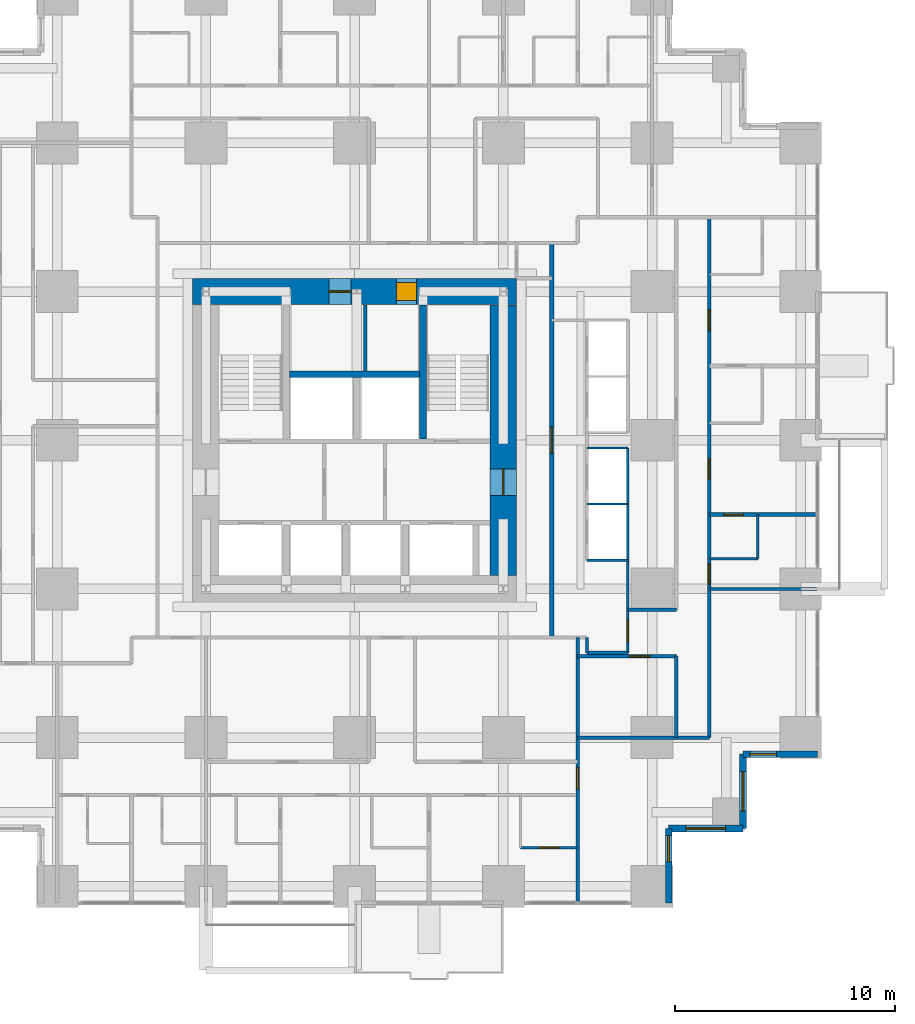
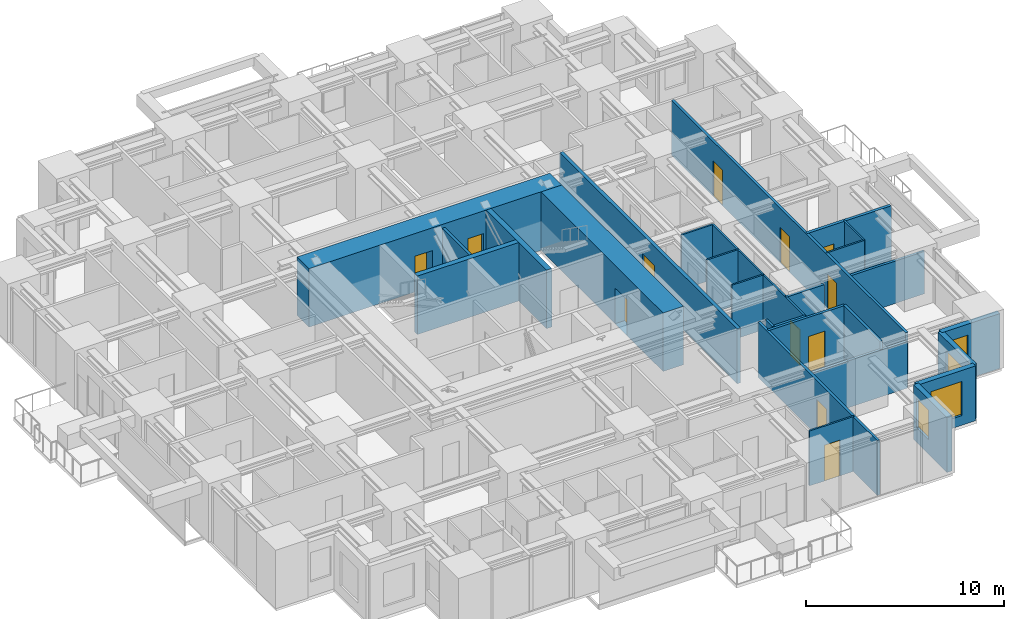
# One storey, part 10 of 14: 27 walls, 12 doors, 4 windows, 16 openings.
"""IFC4 building model written with IfcOpenShell, lengths in metres."""

from ifc_helpers import new_model, si_unit, direction, frame, frame_2d, origin, place, context, subcontext, project, spatial, rectangle, extrude, material, layer, layer_set, type_object, element, fill, save


model = new_model("IFC4")

# Units and contexts
model_context = context("Model", 3, precision=1e-05, world=origin(), true_north=direction((0.0, 1.0)))
body_context = subcontext(model_context, "Body", "Model", "MODEL_VIEW")
ifc_project = project(units=[si_unit("LENGTHUNIT", "METRE"), si_unit("AREAUNIT", "SQUARE_METRE"), si_unit("VOLUMEUNIT", "CUBIC_METRE"), si_unit("PLANEANGLEUNIT", "RADIAN"), si_unit("MASSUNIT", "GRAM", prefix="KILO")], contexts=[model_context])

# Site, building, storey
site_placement = place(None, origin())
site = spatial("IfcSite", under=ifc_project, at=site_placement, CompositionType="ELEMENT")
building_placement = place(site_placement, origin())
building = spatial("IfcBuilding", under=site, at=building_placement, Name="Nyansa Garden Tower", CompositionType="ELEMENT")
storey_placement = place(building_placement, frame((0.0, 0.0, 28.800048828125)))
storey = spatial("IfcBuildingStorey", under=building, at=storey_placement, Name="L07", CompositionType="ELEMENT", Elevation=28.800048828125)

# Wall, opening, door
ifc_material_1 = material(Name="Dense blockwork, plastered both sides, 55 dB", Category="masonry")
ifc_layer_1 = layer(ifc_material_1, 0.175048828125)
ifc_layer_set_1 = layer_set([ifc_layer_1], Name="Acoustic party wall PW175")
wall_type_1 = type_object("IfcWallType", Name="Acoustic party wall PW175", PredefinedType="PARTITIONING", material=ifc_layer_set_1)
wall_1_placement = place(storey_placement, frame((36.35009765625, 16.875, 0.0), z_axis=(0.0, 0.0, 1.0), x_axis=(1.0, 0.0, 0.0)))
wall_1 = element("IfcWall", 1, at=wall_1_placement, inside=storey, type_object=wall_type_1, Name="Party wall", PredefinedType="PARTITIONING", context=body_context, shape_type="SweptSolid", body=[
    extrude(rectangle(XDim=4.8837890625, YDim=0.175048828125, at=frame_2d((2.44189453125, 0.0))), origin(), (0.0, 0.0, 1.0), 3.375),
])
opening_1_placement = place(wall_1_placement, frame((0.64990234375, 0.0, 0.0)))
opening_1 = element("IfcOpeningElement", 2, at=opening_1_placement, cuts=wall_1, Name="Opening D02", PredefinedType="OPENING", context=body_context, shape_type="SweptSolid", body=[
    extrude(rectangle(XDim=0.89990234375, YDim=2.199951171875, at=frame_2d((0.449951171875, 1.10009765625))), frame((0.0, 0.097412109375, 0.0), z_axis=(0.0, -1.0, 0.0), x_axis=(1.0, 0.0, 0.0)), (0.0, 0.0, 1.0), 0.195068359375),
])
ifc_material_2 = material(Name="Timber flush door", Category="wood")
door_type_1 = type_object("IfcDoorType", Name="En-suite door D02 900x2200", OperationType="SINGLE_SWING_RIGHT", PredefinedType="DOOR", material=ifc_material_2)
door_1_placement = place(opening_1_placement, origin())
door_1 = element("IfcDoor", 3, at=door_1_placement, inside=storey, type_object=door_type_1, Name="Door L07-038", OperationType="SINGLE_SWING_RIGHT", OverallHeight=2.199951171875, OverallWidth=0.89990234375, PredefinedType="DOOR", context=body_context, shape_type="SweptSolid", body=[
    extrude(rectangle(XDim=0.89990234375, YDim=2.199951171875, at=frame_2d((0.449951171875, 1.10009765625))), frame((0.0, 0.02490234375, 0.0), z_axis=(0.0, -1.0, 0.0), x_axis=(1.0, 0.0, 0.0)), (0.0, 0.0, 1.0), 0.050048828125),
])
fill(opening_1, door_1)

# Walls
ifc_material_3 = material(Name="Concrete C70/85", Category="concrete")
ifc_layer_2 = layer(ifc_material_3, 0.300048828125)
ifc_layer_set_2 = layer_set([ifc_layer_2], Name="Core inner wall CI300")
wall_type_2 = type_object("IfcWallType", Name="Core inner wall CI300", PredefinedType="SHEAR", material=ifc_layer_set_2)
wall_2_placement = place(storey_placement, frame((23.35009765625, 20.300048828125, 0.0), z_axis=(0.0, 0.0, 1.0), x_axis=(0.0, 1.0, 0.0)))
element("IfcWall", 4, at=wall_2_placement, inside=storey, type_object=wall_type_2, Name="Core inner wall L07", PredefinedType="SHEAR", context=body_context, shape_type="SweptSolid", body=[
    extrude(rectangle(XDim=6.099853515625, YDim=0.300048828125, at=frame_2d((3.0498046875, 0.0))), origin(), (0.0, 0.0, 1.0), 3.599853515625),
])
wall_3_placement = place(storey_placement, frame((17.300048828125, 23.25, 0.0), z_axis=(0.0, 0.0, 1.0), x_axis=(1.0, 0.0, 0.0)))
element("IfcWall", 5, at=wall_3_placement, inside=storey, type_object=wall_type_2, Name="Core inner wall L07", PredefinedType="SHEAR", context=body_context, shape_type="SweptSolid", body=[
    extrude(rectangle(XDim=5.89990234375, YDim=0.300048828125, at=frame_2d((2.949951171875, 0.0))), origin(), (0.0, 0.0, 1.0), 3.599853515625),
])

# Wall, opening, door
ifc_material_4 = material(Name="Concrete C80/95", Category="concrete")
ifc_layer_3 = layer(ifc_material_4, 1.199951171875)
ifc_layer_set_3 = layer_set([ifc_layer_3], Name="Core wall CW1200")
wall_type_3 = type_object("IfcWallType", Name="Core wall CW1200", PredefinedType="SHEAR", material=ifc_layer_set_3)
wall_4_placement = place(storey_placement, frame((27.0, 14.10009765625, 0.0), z_axis=(0.0, 0.0, 1.0), x_axis=(0.0, 1.0, 0.0)))
wall_4 = element("IfcWall", 6, at=wall_4_placement, inside=storey, type_object=wall_type_3, Name="Core wall E L07", PredefinedType="SHEAR", context=body_context, shape_type="SweptSolid", body=[
    extrude(rectangle(XDim=12.2998046875, YDim=1.199951171875, at=frame_2d((6.14990234375, 0.0))), origin(), (0.0, 0.0, 1.0), 3.599853515625),
])
opening_2_placement = place(wall_4_placement, frame((3.64990234375, 0.0, 0.0)))
opening_2 = element("IfcOpeningElement", 7, at=opening_2_placement, cuts=wall_4, Name="Opening D06", PredefinedType="OPENING", context=body_context, shape_type="SweptSolid", body=[
    extrude(rectangle(XDim=1.199951171875, YDim=2.199951171875, at=frame_2d((0.60009765625, 1.10009765625))), frame((0.0, 0.60986328125, 0.0), z_axis=(0.0, -1.0, 0.0), x_axis=(1.0, 0.0, 0.0)), (0.0, 0.0, 1.0), 1.219970703125),
])
ifc_material_5 = material(Name="Steel door, 120 minute fire resisting", Category="steel")
door_type_2 = type_object("IfcDoorType", Name="Lobby door D06 1200x2200", OperationType="DOUBLE_DOOR_SINGLE_SWING", PredefinedType="DOOR", material=ifc_material_5)
door_2_placement = place(opening_2_placement, origin())
door_2 = element("IfcDoor", 8, at=door_2_placement, inside=storey, type_object=door_type_2, Name="Lift lobby door east", OperationType="DOUBLE_DOOR_SINGLE_SWING", OverallHeight=2.199951171875, OverallWidth=1.199951171875, PredefinedType="DOOR", context=body_context, shape_type="SweptSolid", body=[
    extrude(rectangle(XDim=1.199951171875, YDim=2.199951171875, at=frame_2d((0.60009765625, 1.10009765625))), frame((0.0, 0.02490234375, 0.0), z_axis=(0.0, -1.0, 0.0), x_axis=(1.0, 0.0, 0.0)), (0.0, 0.0, 1.0), 0.050048828125),
])
fill(opening_2, door_2)

# Wall, openings, doors
wall_5_placement = place(storey_placement, frame((27.60009765625, 27.0, 0.0), z_axis=(0.0, 0.0, 1.0), x_axis=(-1.0, 0.0, 0.0)))
wall_5 = element("IfcWall", 9, at=wall_5_placement, inside=storey, type_object=wall_type_3, Name="Core wall N L07", PredefinedType="SHEAR", context=body_context, shape_type="SweptSolid", body=[
    extrude(rectangle(XDim=14.7001953125, YDim=1.199951171875, at=frame_2d((7.35009765625, 0.0))), origin(), (0.0, 0.0, 1.0), 3.599853515625),
])
opening_3_placement = place(wall_5_placement, frame((4.550048828125, 0.0, 0.0)))
opening_3 = element("IfcOpeningElement", 10, at=opening_3_placement, cuts=wall_5, Name="Opening D15", PredefinedType="OPENING", context=body_context, shape_type="SweptSolid", body=[
    extrude(rectangle(XDim=0.89990234375, YDim=2.199951171875, at=frame_2d((0.449951171875, 1.10009765625))), frame((0.0, 0.60986328125, 0.0), z_axis=(0.0, -1.0, 0.0), x_axis=(1.0, 0.0, 0.0)), (0.0, 0.0, 1.0), 1.219970703125),
])
opening_4_placement = place(wall_5_placement, frame((7.52490234375, 0.0, 0.0)))
opening_4 = element("IfcOpeningElement", 11, at=opening_4_placement, cuts=wall_5, Name="Opening D07", PredefinedType="OPENING", context=body_context, shape_type="SweptSolid", body=[
    extrude(rectangle(XDim=1.0, YDim=2.199951171875, at=frame_2d((0.5, 1.10009765625))), frame((0.0, 0.60986328125, 0.0), z_axis=(0.0, -1.0, 0.0), x_axis=(1.0, 0.0, 0.0)), (0.0, 0.0, 1.0), 1.219970703125),
])
ifc_material_6 = material(Name="Timber flush door, 60 minute fire resisting, self-closing", Category="wood")
door_type_3 = type_object("IfcDoorType", Name="Core room door D15 900x2200", OperationType="SINGLE_SWING_LEFT", PredefinedType="DOOR", material=ifc_material_6)
door_3_placement = place(opening_3_placement, origin())
door_3 = element("IfcDoor", 12, at=door_3_placement, inside=storey, type_object=door_type_3, Name="Core room door", OperationType="SINGLE_SWING_LEFT", OverallHeight=2.199951171875, OverallWidth=0.89990234375, PredefinedType="DOOR", context=body_context, shape_type="SweptSolid", body=[
    extrude(rectangle(XDim=0.89990234375, YDim=2.199951171875, at=frame_2d((0.449951171875, 1.10009765625))), frame((0.0, 0.39990234375, 0.0), z_axis=(0.0, -1.0, 0.0), x_axis=(1.0, 0.0, 0.0)), (0.0, 0.0, 1.0), 0.800048828125),
])
fill(opening_3, door_3)
ifc_material_7 = material(Name="Steel door, 120 minute fire resisting", Category="steel")
door_type_4 = type_object("IfcDoorType", Name="Riser door D07 1000x2200", OperationType="SINGLE_SWING_LEFT", PredefinedType="DOOR", material=ifc_material_7)
door_4_placement = place(opening_4_placement, origin())
door_4 = element("IfcDoor", 13, at=door_4_placement, inside=storey, type_object=door_type_4, Name="Riser and refuse room door", OperationType="SINGLE_SWING_LEFT", OverallHeight=2.199951171875, OverallWidth=1.0, PredefinedType="DOOR", context=body_context, shape_type="SweptSolid", body=[
    extrude(rectangle(XDim=1.0, YDim=2.199951171875, at=frame_2d((0.5, 1.10009765625))), frame((0.0, 0.02490234375, 0.0), z_axis=(0.0, -1.0, 0.0), x_axis=(1.0, 0.0, 0.0)), (0.0, 0.0, 1.0), 0.050048828125),
])
fill(opening_4, door_4)

# Wall, opening, door
ifc_material_8 = material(Name="Concrete blockwork, plastered, 60 minute fire resisting", Category="masonry")
ifc_layer_4 = layer(ifc_material_8, 0.199951171875)
ifc_layer_set_4 = layer_set([ifc_layer_4], Name="Corridor wall FW200")
wall_type_4 = type_object("IfcWallType", Name="Corridor wall FW200", PredefinedType="PARTITIONING", material=ifc_layer_set_4)
wall_6_placement = place(storey_placement, frame((29.199951171875, 11.300048828125, 0.0), z_axis=(0.0, 0.0, 1.0), x_axis=(0.0, 1.0, 0.0)))
wall_6 = element("IfcWall", 14, at=wall_6_placement, inside=storey, type_object=wall_type_4, Name="Corridor wall", PredefinedType="PARTITIONING", context=body_context, shape_type="SweptSolid", body=[
    extrude(rectangle(XDim=17.89990234375, YDim=0.199951171875, at=frame_2d((8.949951171875, 0.0))), origin(), (0.0, 0.0, 1.0), 3.375),
])
opening_5_placement = place(wall_6_placement, frame((8.35009765625, 0.0, 0.0)))
opening_5 = element("IfcOpeningElement", 15, at=opening_5_placement, cuts=wall_6, Name="Opening D06", PredefinedType="OPENING", context=body_context, shape_type="SweptSolid", body=[
    extrude(rectangle(XDim=1.199951171875, YDim=2.199951171875, at=frame_2d((0.60009765625, 1.10009765625))), frame((0.0, 0.10986328125, 0.0), z_axis=(0.0, -1.0, 0.0), x_axis=(1.0, 0.0, 0.0)), (0.0, 0.0, 1.0), 0.219970703125),
])
door_5_placement = place(opening_5_placement, origin())
door_5 = element("IfcDoor", 16, at=door_5_placement, inside=storey, type_object=door_type_2, Name="Low-rise lift lobby door", OperationType="DOUBLE_DOOR_SINGLE_SWING", OverallHeight=2.199951171875, OverallWidth=1.199951171875, PredefinedType="DOOR", context=body_context, shape_type="SweptSolid", body=[
    extrude(rectangle(XDim=1.199951171875, YDim=2.199951171875, at=frame_2d((0.60009765625, 1.10009765625))), frame((0.0, 0.02490234375, 0.0), z_axis=(0.0, -1.0, 0.0), x_axis=(1.0, 0.0, 0.0)), (0.0, 0.0, 1.0), 0.050048828125),
])
fill(opening_5, door_5)

# Walls
ifc_material_9 = material(Name="Steel-stud shaft wall, two layers fire-rated board, EI 120", Category="steel")
ifc_layer_5 = layer(ifc_material_9, 0.10009765625)
ifc_layer_set_5 = layer_set([ifc_layer_5], Name="Lift shaft wall SW100")
wall_type_5 = type_object("IfcWallType", Name="Lift shaft wall SW100", PredefinedType="SHEAR", material=ifc_layer_set_5)
for number, where, z_axis, x_axis, name in (
    (17, (30.800048828125, 14.800048828125, 0.0), (0.0, 0.0, 1.0), (1.0, 0.0, 0.0), "Lift shaft wall"),
    (18, (30.800048828125, 17.35009765625, 0.0), (0.0, 0.0, 1.0), (1.0, 0.0, 0.0), "Lift shaft wall"),
    (19, (30.800048828125, 19.89990234375, 0.0), (0.0, 0.0, 1.0), (1.0, 0.0, 0.0), "Lift shaft wall"),
):
    element("IfcWall", number, at=place(storey_placement, frame(where, z_axis=z_axis, x_axis=x_axis)), inside=storey, type_object=wall_type_5, Name=name, PredefinedType="SHEAR", context=body_context, shape_type="SweptSolid", body=[
        extrude(rectangle(XDim=1.849853515625, YDim=0.10009765625, at=frame_2d((0.9248046875, 0.0))), origin(), (0.0, 0.0, 1.0), 3.375),
    ])

# Wall, opening, door
wall_7_placement = place(storey_placement, frame((32.64990234375, 10.60009765625, 0.0), z_axis=(0.0, 0.0, 1.0), x_axis=(0.0, 1.0, 0.0)))
wall_7 = element("IfcWall", 20, at=wall_7_placement, inside=storey, type_object=wall_type_5, Name="Lift shaft wall", PredefinedType="SHEAR", context=body_context, shape_type="SweptSolid", body=[
    extrude(rectangle(XDim=9.2998046875, YDim=0.10009765625, at=frame_2d((4.64990234375, 0.0))), origin(), (0.0, 0.0, 1.0), 3.375),
])
opening_6_placement = place(wall_7_placement, frame((0.5, 0.0, 0.0)))
opening_6 = element("IfcOpeningElement", 21, at=opening_6_placement, cuts=wall_7, Name="Opening D03", PredefinedType="OPENING", context=body_context, shape_type="SweptSolid", body=[
    extrude(rectangle(XDim=1.0, YDim=2.199951171875, at=frame_2d((0.5, 1.10009765625))), frame((0.0, 0.06005859375, 0.0), z_axis=(0.0, -1.0, 0.0), x_axis=(1.0, 0.0, 0.0)), (0.0, 0.0, 1.0), 0.1201171875),
])
ifc_material_10 = material(Name="Timber flush door, 60 minute fire resisting", Category="wood")
door_type_5 = type_object("IfcDoorType", Name="Cluster entrance door D03 1000x2200", OperationType="SINGLE_SWING_LEFT", PredefinedType="DOOR", material=ifc_material_10)
door_6_placement = place(opening_6_placement, origin())
door_6 = element("IfcDoor", 22, at=door_6_placement, inside=storey, type_object=door_type_5, Name="Door L07-039", OperationType="SINGLE_SWING_LEFT", OverallHeight=2.199951171875, OverallWidth=1.0, PredefinedType="DOOR", context=body_context, shape_type="SweptSolid", body=[
    extrude(rectangle(XDim=1.0, YDim=2.199951171875, at=frame_2d((0.5, 1.10009765625))), frame((0.0, 0.02490234375, 0.0), z_axis=(0.0, -1.0, 0.0), x_axis=(1.0, 0.0, 0.0)), (0.0, 0.0, 1.0), 0.050048828125),
])
fill(opening_6, door_6)

# Wall
ifc_material_11 = material(Name="Blockwork, plastered both sides", Category="masonry")
ifc_layer_6 = layer(ifc_material_11, 0.14990234375)
ifc_layer_set_6 = layer_set([ifc_layer_6], Name="Partition PW150")
wall_type_6 = type_object("IfcWallType", Name="Partition PW150", PredefinedType="PARTITIONING", material=ifc_layer_set_6)
wall_8_placement = place(storey_placement, frame((20.72509765625, 23.39990234375, 0.0), z_axis=(0.0, 0.0, 1.0), x_axis=(0.0, 1.0, 0.0)))
element("IfcWall", 23, at=wall_8_placement, inside=storey, type_object=wall_type_6, Name="Partition", PredefinedType="PARTITIONING", context=body_context, shape_type="SweptSolid", body=[
    extrude(rectangle(XDim=3.0, YDim=0.14990234375, at=frame_2d((1.5, 0.0))), origin(), (0.0, 0.0, 1.0), 3.375),
])

# Wall, opening, door
wall_9_placement = place(storey_placement, frame((30.375, -0.73388671875, 0.0), z_axis=(0.0, 0.0, 1.0), x_axis=(0.0, 1.0, 0.0)))
wall_9 = element("IfcWall", 24, at=wall_9_placement, inside=storey, type_object=wall_type_6, Name="Partition", PredefinedType="PARTITIONING", context=body_context, shape_type="SweptSolid", body=[
    extrude(rectangle(XDim=12.033935546875, YDim=0.14990234375, at=frame_2d((6.01708984375, 0.0))), origin(), (0.0, 0.0, 1.0), 3.375),
])
opening_7_placement = place(wall_9_placement, frame((5.134033203125, 0.0, 0.0)))
opening_7 = element("IfcOpeningElement", 25, at=opening_7_placement, cuts=wall_9, Name="Opening D03", PredefinedType="OPENING", context=body_context, shape_type="SweptSolid", body=[
    extrude(rectangle(XDim=1.0, YDim=2.199951171875, at=frame_2d((0.5, 1.10009765625))), frame((0.0, 0.0849609375, 0.0), z_axis=(0.0, -1.0, 0.0), x_axis=(1.0, 0.0, 0.0)), (0.0, 0.0, 1.0), 0.169921875),
])
door_7_placement = place(opening_7_placement, origin())
door_7 = element("IfcDoor", 26, at=door_7_placement, inside=storey, type_object=door_type_5, Name="Door L07-032", OperationType="SINGLE_SWING_LEFT", OverallHeight=2.199951171875, OverallWidth=1.0, PredefinedType="DOOR", context=body_context, shape_type="SweptSolid", body=[
    extrude(rectangle(XDim=1.0, YDim=2.199951171875, at=frame_2d((0.5, 1.10009765625))), frame((0.0, 0.02490234375, 0.0), z_axis=(0.0, -1.0, 0.0), x_axis=(1.0, 0.0, 0.0)), (0.0, 0.0, 1.0), 0.050048828125),
])
fill(opening_7, door_7)

# Wall
wall_10_placement = place(storey_placement, frame((30.375, 6.75, 0.0), z_axis=(0.0, 0.0, 1.0), x_axis=(1.0, 0.0, 0.0)))
element("IfcWall", 27, at=wall_10_placement, inside=storey, type_object=wall_type_6, Name="Partition", PredefinedType="PARTITIONING", context=body_context, shape_type="SweptSolid", body=[
    extrude(rectangle(XDim=5.97509765625, YDim=0.14990234375, at=frame_2d((2.987548828125, 0.0))), origin(), (0.0, 0.0, 1.0), 2.876953125),
])

# Wall, opening, door
wall_11_placement = place(storey_placement, frame((30.375, 10.449951171875, 0.0), z_axis=(0.0, 0.0, 1.0), x_axis=(1.0, 0.0, 0.0)))
wall_11 = element("IfcWall", 28, at=wall_11_placement, inside=storey, type_object=wall_type_6, Name="Partition", PredefinedType="PARTITIONING", context=body_context, shape_type="SweptSolid", body=[
    extrude(rectangle(XDim=4.47509765625, YDim=0.14990234375, at=frame_2d((2.237548828125, 0.0))), origin(), (0.0, 0.0, 1.0), 3.375),
])
opening_8_placement = place(wall_11_placement, frame((2.35009765625, 0.0, 0.0)))
opening_8 = element("IfcOpeningElement", 29, at=opening_8_placement, cuts=wall_11, Name="Opening D01", PredefinedType="OPENING", context=body_context, shape_type="SweptSolid", body=[
    extrude(rectangle(XDim=0.949951171875, YDim=2.199951171875, at=frame_2d((0.47509765625, 1.10009765625))), frame((0.0, 0.0849609375, 0.0), z_axis=(0.0, -1.0, 0.0), x_axis=(1.0, 0.0, 0.0)), (0.0, 0.0, 1.0), 0.169921875),
])
ifc_material_12 = material(Name="Timber flush door, 30 minute fire resisting", Category="wood")
door_type_6 = type_object("IfcDoorType", Name="Bedroom door D01 950x2200", OperationType="SINGLE_SWING_LEFT", PredefinedType="DOOR", material=ifc_material_12)
door_8_placement = place(opening_8_placement, origin())
door_8 = element("IfcDoor", 30, at=door_8_placement, inside=storey, type_object=door_type_6, Name="Door L07-041", OperationType="SINGLE_SWING_LEFT", OverallHeight=2.199951171875, OverallWidth=0.949951171875, PredefinedType="DOOR", context=body_context, shape_type="SweptSolid", body=[
    extrude(rectangle(XDim=0.949951171875, YDim=2.199951171875, at=frame_2d((0.47509765625, 1.10009765625))), frame((0.0, 0.02490234375, 0.0), z_axis=(0.0, -1.0, 0.0), x_axis=(1.0, 0.0, 0.0)), (0.0, 0.0, 1.0), 0.050048828125),
])
fill(opening_8, door_8)

# Walls
wall_12_placement = place(storey_placement, frame((30.800048828125, 10.60009765625, 0.0), z_axis=(0.0, 0.0, 1.0), x_axis=(0.0, 1.0, 0.0)))
element("IfcWall", 31, at=wall_12_placement, inside=storey, type_object=wall_type_6, Name="Partition", PredefinedType="PARTITIONING", context=body_context, shape_type="SweptSolid", body=[
    extrude(rectangle(XDim=0.699951171875, YDim=0.14990234375, at=frame_2d((0.35009765625, 0.0))), origin(), (0.0, 0.0, 1.0), 3.375),
])
wall_13_placement = place(storey_placement, frame((30.800048828125, 10.60009765625, 0.0), z_axis=(0.0, 0.0, 1.0), x_axis=(1.0, 0.0, 0.0)))
element("IfcWall", 32, at=wall_13_placement, inside=storey, type_object=wall_type_6, Name="Partition", PredefinedType="PARTITIONING", context=body_context, shape_type="SweptSolid", body=[
    extrude(rectangle(XDim=1.849853515625, YDim=0.14990234375, at=frame_2d((0.9248046875, 0.0))), origin(), (0.0, 0.0, 1.0), 3.375),
])
wall_14_placement = place(storey_placement, frame((32.64990234375, 12.550048828125, 0.0), z_axis=(0.0, 0.0, 1.0), x_axis=(1.0, 0.0, 0.0)))
element("IfcWall", 33, at=wall_14_placement, inside=storey, type_object=wall_type_6, Name="Partition", PredefinedType="PARTITIONING", context=body_context, shape_type="SweptSolid", body=[
    extrude(rectangle(XDim=2.2001953125, YDim=0.14990234375, at=frame_2d((1.10009765625, 0.0))), origin(), (0.0, 0.0, 1.0), 3.375),
])
wall_15_placement = place(storey_placement, frame((34.85009765625, 6.75, 0.0), z_axis=(0.0, 0.0, 1.0), x_axis=(0.0, 1.0, 0.0)))
element("IfcWall", 34, at=wall_15_placement, inside=storey, type_object=wall_type_6, Name="Partition", PredefinedType="PARTITIONING", context=body_context, shape_type="SweptSolid", body=[
    extrude(rectangle(XDim=3.699951171875, YDim=0.14990234375, at=frame_2d((1.85009765625, 0.0))), origin(), (0.0, 0.0, 1.0), 3.375),
])

# Wall, openings, doors
wall_16_placement = place(storey_placement, frame((36.35009765625, 6.75, 0.0), z_axis=(0.0, 0.0, 1.0), x_axis=(0.0, 1.0, 0.0)))
wall_16 = element("IfcWall", 35, at=wall_16_placement, inside=storey, type_object=wall_type_6, Name="Partition", PredefinedType="PARTITIONING", context=body_context, shape_type="SweptSolid", body=[
    extrude(rectangle(XDim=23.625, YDim=0.14990234375, at=frame_2d((11.8125, 0.0))), origin(), (0.0, 0.0, 1.0), 3.375),
])
opening_9_placement = place(wall_16_placement, frame((18.47509765625, 0.0, 0.0)))
opening_9 = element("IfcOpeningElement", 36, at=opening_9_placement, cuts=wall_16, Name="Opening D14", PredefinedType="OPENING", context=body_context, shape_type="SweptSolid", body=[
    extrude(rectangle(XDim=0.949951171875, YDim=2.199951171875, at=frame_2d((0.47509765625, 1.10009765625))), frame((0.0, 0.0849609375, 0.0), z_axis=(0.0, -1.0, 0.0), x_axis=(1.0, 0.0, 0.0)), (0.0, 0.0, 1.0), 0.169921875),
])
opening_10_placement = place(wall_16_placement, frame((11.72509765625, 0.0, 0.0)))
opening_10 = element("IfcOpeningElement", 37, at=opening_10_placement, cuts=wall_16, Name="Opening D14", PredefinedType="OPENING", context=body_context, shape_type="SweptSolid", body=[
    extrude(rectangle(XDim=0.949951171875, YDim=2.199951171875, at=frame_2d((0.47509765625, 1.10009765625))), frame((0.0, 0.0849609375, 0.0), z_axis=(0.0, -1.0, 0.0), x_axis=(1.0, 0.0, 0.0)), (0.0, 0.0, 1.0), 0.169921875),
])
opening_11_placement = place(wall_16_placement, frame((6.949951171875, 0.0, 0.0)))
opening_11 = element("IfcOpeningElement", 38, at=opening_11_placement, cuts=wall_16, Name="Opening D14", PredefinedType="OPENING", context=body_context, shape_type="SweptSolid", body=[
    extrude(rectangle(XDim=0.949951171875, YDim=2.199951171875, at=frame_2d((0.47509765625, 1.10009765625))), frame((0.0, 0.0849609375, 0.0), z_axis=(0.0, -1.0, 0.0), x_axis=(1.0, 0.0, 0.0)), (0.0, 0.0, 1.0), 0.169921875),
])
ifc_material_13 = material(Name="Timber flush door, 60 minute fire resisting, self-closing", Category="wood")
door_type_7 = type_object("IfcDoorType", Name="Studio entrance door D14 950x2200", OperationType="SINGLE_SWING_LEFT", PredefinedType="DOOR", material=ifc_material_13)
door_9_placement = place(opening_9_placement, origin())
door_9 = element("IfcDoor", 39, at=door_9_placement, inside=storey, type_object=door_type_7, Name="Door L07-033", OperationType="SINGLE_SWING_LEFT", OverallHeight=2.199951171875, OverallWidth=0.949951171875, PredefinedType="DOOR", context=body_context, shape_type="SweptSolid", body=[
    extrude(rectangle(XDim=0.949951171875, YDim=2.199951171875, at=frame_2d((0.47509765625, 1.10009765625))), frame((0.0, 0.02490234375, 0.0), z_axis=(0.0, -1.0, 0.0), x_axis=(1.0, 0.0, 0.0)), (0.0, 0.0, 1.0), 0.050048828125),
])
fill(opening_9, door_9)
door_10_placement = place(opening_10_placement, origin())
door_10 = element("IfcDoor", 40, at=door_10_placement, inside=storey, type_object=door_type_7, Name="Door L07-035", OperationType="SINGLE_SWING_LEFT", OverallHeight=2.199951171875, OverallWidth=0.949951171875, PredefinedType="DOOR", context=body_context, shape_type="SweptSolid", body=[
    extrude(rectangle(XDim=0.949951171875, YDim=2.199951171875, at=frame_2d((0.47509765625, 1.10009765625))), frame((0.0, 0.02490234375, 0.0), z_axis=(0.0, -1.0, 0.0), x_axis=(1.0, 0.0, 0.0)), (0.0, 0.0, 1.0), 0.050048828125),
])
fill(opening_10, door_10)
door_11_placement = place(opening_11_placement, origin())
door_11 = element("IfcDoor", 41, at=door_11_placement, inside=storey, type_object=door_type_7, Name="Door L07-037", OperationType="SINGLE_SWING_LEFT", OverallHeight=2.199951171875, OverallWidth=0.949951171875, PredefinedType="DOOR", context=body_context, shape_type="SweptSolid", body=[
    extrude(rectangle(XDim=0.949951171875, YDim=2.199951171875, at=frame_2d((0.47509765625, 1.10009765625))), frame((0.0, 0.02490234375, 0.0), z_axis=(0.0, -1.0, 0.0), x_axis=(1.0, 0.0, 0.0)), (0.0, 0.0, 1.0), 0.050048828125),
])
fill(opening_11, door_11)

# Wall
wall_17_placement = place(storey_placement, frame((36.35009765625, 13.5, 0.0), z_axis=(0.0, 0.0, 1.0), x_axis=(1.0, 0.0, 0.0)))
element("IfcWall", 42, at=wall_17_placement, inside=storey, type_object=wall_type_6, Name="Partition", PredefinedType="PARTITIONING", context=body_context, shape_type="SweptSolid", body=[
    extrude(rectangle(XDim=4.8837890625, YDim=0.14990234375, at=frame_2d((2.44189453125, 0.0))), origin(), (0.0, 0.0, 1.0), 2.60986328125),
])

# Wall, opening, window
ifc_material_14 = material(Name="Turquoise glazed tile on concrete blockwork", Category="masonry")
ifc_layer_7 = layer(ifc_material_14, 0.300048828125)
ifc_layer_set_7 = layer_set([ifc_layer_7], Name="Tiled corner wall TW300")
wall_type_7 = type_object("IfcWallType", Name="Tiled corner wall TW300", PredefinedType="SOLIDWALL", material=ifc_layer_set_7)
wall_18_placement = place(storey_placement, frame((34.5, -0.75, 0.0), z_axis=(0.0, 0.0, 1.0), x_axis=(0.0, 1.0, 0.0)))
wall_18 = element("IfcWall", 43, at=wall_18_placement, inside=storey, type_object=wall_type_7, Name="Tiled corner wall L07", PredefinedType="SOLIDWALL", context=body_context, shape_type="SweptSolid", body=[
    extrude(rectangle(XDim=3.375, YDim=0.300048828125, at=frame_2d((1.6875, 0.0))), origin(), (0.0, 0.0, 1.0), 3.375),
])
opening_12_placement = place(wall_18_placement, frame((1.857421875, 0.0, 0.89990234375)))
opening_12 = element("IfcOpeningElement", 44, at=opening_12_placement, cuts=wall_18, Name="Opening W4", PredefinedType="OPENING", context=body_context, shape_type="SweptSolid", body=[
    extrude(rectangle(XDim=1.199951171875, YDim=1.800048828125, at=frame_2d((0.60009765625, 0.89990234375))), frame((0.0, 0.159912109375, 0.0), z_axis=(0.0, -1.0, 0.0), x_axis=(1.0, 0.0, 0.0)), (0.0, 0.0, 1.0), 0.320068359375),
])
ifc_material_15 = material(Name="Black aluminium frame, dark tinted double glazing", Category="aluminium")
window_type_1 = type_object("IfcWindowType", Name="Window W4 1200x1800", PartitioningType="SINGLE_PANEL", PredefinedType="WINDOW", material=ifc_material_15)
window_1_placement = place(opening_12_placement, origin())
window_1 = element("IfcWindow", 45, at=window_1_placement, inside=storey, type_object=window_type_1, Name="Corner window L07", OverallHeight=1.800048828125, OverallWidth=1.199951171875, PartitioningType="SINGLE_PANEL", PredefinedType="WINDOW", context=body_context, shape_type="SweptSolid", body=[
    extrude(rectangle(XDim=1.199951171875, YDim=1.800048828125, at=frame_2d((0.60009765625, 0.89990234375))), frame((0.0, 0.030029296875, 0.0), z_axis=(0.0, -1.0, 0.0), x_axis=(1.0, 0.0, 0.0)), (0.0, 0.0, 1.0), 0.06005859375),
])
fill(opening_12, window_1)

wall_19_placement = place(storey_placement, frame((34.5, 2.625, 0.0), z_axis=(0.0, 0.0, 1.0), x_axis=(1.0, 0.0, 0.0)))
wall_19 = element("IfcWall", 46, at=wall_19_placement, inside=storey, type_object=wall_type_7, Name="Tiled corner wall L07", PredefinedType="SOLIDWALL", context=body_context, shape_type="SweptSolid", body=[
    extrude(rectangle(XDim=3.375, YDim=0.300048828125, at=frame_2d((1.6875, 0.0))), origin(), (0.0, 0.0, 1.0), 3.375),
])
opening_13_placement = place(wall_19_placement, frame((0.78759765625, 0.0, 0.60009765625)))
opening_13 = element("IfcOpeningElement", 47, at=opening_13_placement, cuts=wall_19, Name="Opening W2", PredefinedType="OPENING", context=body_context, shape_type="SweptSolid", body=[
    extrude(rectangle(XDim=1.800048828125, YDim=2.10009765625, at=frame_2d((0.89990234375, 1.050048828125))), frame((0.0, 0.159912109375, 0.0), z_axis=(0.0, -1.0, 0.0), x_axis=(1.0, 0.0, 0.0)), (0.0, 0.0, 1.0), 0.320068359375),
])
ifc_material_16 = material(Name="Black aluminium frame, dark tinted double glazing", Category="aluminium")
window_type_2 = type_object("IfcWindowType", Name="Window W2 1800x2100", PartitioningType="SINGLE_PANEL", PredefinedType="WINDOW", material=ifc_material_16)
window_2_placement = place(opening_13_placement, origin())
window_2 = element("IfcWindow", 48, at=window_2_placement, inside=storey, type_object=window_type_2, Name="Corner window L07", OverallHeight=2.10009765625, OverallWidth=1.800048828125, PartitioningType="SINGLE_PANEL", PredefinedType="WINDOW", context=body_context, shape_type="SweptSolid", body=[
    extrude(rectangle(XDim=1.800048828125, YDim=2.10009765625, at=frame_2d((0.89990234375, 1.050048828125))), frame((0.0, 0.030029296875, 0.0), z_axis=(0.0, -1.0, 0.0), x_axis=(1.0, 0.0, 0.0)), (0.0, 0.0, 1.0), 0.06005859375),
])
fill(opening_13, window_2)

wall_20_placement = place(storey_placement, frame((37.875, 2.625, 0.0), z_axis=(0.0, 0.0, 1.0), x_axis=(0.0, 1.0, 0.0)))
wall_20 = element("IfcWall", 49, at=wall_20_placement, inside=storey, type_object=wall_type_7, Name="Tiled corner wall L07", PredefinedType="SOLIDWALL", context=body_context, shape_type="SweptSolid", body=[
    extrude(rectangle(XDim=3.375, YDim=0.300048828125, at=frame_2d((1.6875, 0.0))), origin(), (0.0, 0.0, 1.0), 3.375),
])
opening_14_placement = place(wall_20_placement, frame((0.78759765625, 0.0, 0.60009765625)))
opening_14 = element("IfcOpeningElement", 50, at=opening_14_placement, cuts=wall_20, Name="Opening W2", PredefinedType="OPENING", context=body_context, shape_type="SweptSolid", body=[
    extrude(rectangle(XDim=1.800048828125, YDim=2.10009765625, at=frame_2d((0.89990234375, 1.050048828125))), frame((0.0, 0.159912109375, 0.0), z_axis=(0.0, -1.0, 0.0), x_axis=(1.0, 0.0, 0.0)), (0.0, 0.0, 1.0), 0.320068359375),
])
window_3_placement = place(opening_14_placement, origin())
window_3 = element("IfcWindow", 51, at=window_3_placement, inside=storey, type_object=window_type_2, Name="Corner window L07", OverallHeight=2.10009765625, OverallWidth=1.800048828125, PartitioningType="SINGLE_PANEL", PredefinedType="WINDOW", context=body_context, shape_type="SweptSolid", body=[
    extrude(rectangle(XDim=1.800048828125, YDim=2.10009765625, at=frame_2d((0.89990234375, 1.050048828125))), frame((0.0, 0.030029296875, 0.0), z_axis=(0.0, -1.0, 0.0), x_axis=(1.0, 0.0, 0.0)), (0.0, 0.0, 1.0), 0.06005859375),
])
fill(opening_14, window_3)

wall_21_placement = place(storey_placement, frame((37.875, 6.0, 0.0), z_axis=(0.0, 0.0, 1.0), x_axis=(1.0, 0.0, 0.0)))
wall_21 = element("IfcWall", 52, at=wall_21_placement, inside=storey, type_object=wall_type_7, Name="Tiled corner wall L07", PredefinedType="SOLIDWALL", context=body_context, shape_type="SweptSolid", body=[
    extrude(rectangle(XDim=3.375, YDim=0.300048828125, at=frame_2d((1.6875, 0.0))), origin(), (0.0, 0.0, 1.0), 3.375),
])
opening_15_placement = place(wall_21_placement, frame((0.3173828125, 0.0, 0.89990234375)))
opening_15 = element("IfcOpeningElement", 53, at=opening_15_placement, cuts=wall_21, Name="Opening W4", PredefinedType="OPENING", context=body_context, shape_type="SweptSolid", body=[
    extrude(rectangle(XDim=1.199951171875, YDim=1.800048828125, at=frame_2d((0.60009765625, 0.89990234375))), frame((0.0, 0.159912109375, 0.0), z_axis=(0.0, -1.0, 0.0), x_axis=(1.0, 0.0, 0.0)), (0.0, 0.0, 1.0), 0.320068359375),
])
window_4_placement = place(opening_15_placement, origin())
window_4 = element("IfcWindow", 54, at=window_4_placement, inside=storey, type_object=window_type_1, Name="Corner window L07", OverallHeight=1.800048828125, OverallWidth=1.199951171875, PartitioningType="SINGLE_PANEL", PredefinedType="WINDOW", context=body_context, shape_type="SweptSolid", body=[
    extrude(rectangle(XDim=1.199951171875, YDim=1.800048828125, at=frame_2d((0.60009765625, 0.89990234375))), frame((0.0, 0.030029296875, 0.0), z_axis=(0.0, -1.0, 0.0), x_axis=(1.0, 0.0, 0.0)), (0.0, 0.0, 1.0), 0.06005859375),
])
fill(opening_15, window_4)

# Wall, opening, door
ifc_material_17 = material(Name="Moisture resistant board on steel studs, tiled", Category="steel")
ifc_layer_8 = layer(ifc_material_17, 0.10009765625)
ifc_layer_set_8 = layer_set([ifc_layer_8], Name="Wet wall PW100")
wall_type_8 = type_object("IfcWallType", Name="Wet wall PW100", PredefinedType="PARTITIONING", material=ifc_layer_set_8)
wall_22_placement = place(storey_placement, frame((27.77490234375, 1.75, 0.0), z_axis=(0.0, 0.0, 1.0), x_axis=(1.0, 0.0, 0.0)))
wall_22 = element("IfcWall", 55, at=wall_22_placement, inside=storey, type_object=wall_type_8, Name="Wet wall", PredefinedType="PARTITIONING", context=body_context, shape_type="SweptSolid", body=[
    extrude(rectangle(XDim=2.60009765625, YDim=0.10009765625, at=frame_2d((1.300048828125, 0.0))), origin(), (0.0, 0.0, 1.0), 3.375),
])
opening_16_placement = place(wall_22_placement, frame((0.85009765625, 0.0, 0.0)))
opening_16 = element("IfcOpeningElement", 56, at=opening_16_placement, cuts=wall_22, Name="Opening D02", PredefinedType="OPENING", context=body_context, shape_type="SweptSolid", body=[
    extrude(rectangle(XDim=0.89990234375, YDim=2.199951171875, at=frame_2d((0.449951171875, 1.10009765625))), frame((0.0, 0.06005859375, 0.0), z_axis=(0.0, -1.0, 0.0), x_axis=(1.0, 0.0, 0.0)), (0.0, 0.0, 1.0), 0.1201171875),
])
door_12_placement = place(opening_16_placement, origin())
door_12 = element("IfcDoor", 57, at=door_12_placement, inside=storey, type_object=door_type_1, Name="Door L07-024", OperationType="SINGLE_SWING_RIGHT", OverallHeight=2.199951171875, OverallWidth=0.89990234375, PredefinedType="DOOR", context=body_context, shape_type="SweptSolid", body=[
    extrude(rectangle(XDim=0.89990234375, YDim=2.199951171875, at=frame_2d((0.449951171875, 1.10009765625))), frame((0.0, 0.02490234375, 0.0), z_axis=(0.0, -1.0, 0.0), x_axis=(1.0, 0.0, 0.0)), (0.0, 0.0, 1.0), 0.050048828125),
])
fill(opening_16, door_12)

# Walls
wall_23_placement = place(storey_placement, frame((36.35009765625, 14.875, 0.0), z_axis=(0.0, 0.0, 1.0), x_axis=(1.0, 0.0, 0.0)))
element("IfcWall", 58, at=wall_23_placement, inside=storey, type_object=wall_type_8, Name="Wet wall", PredefinedType="PARTITIONING", context=body_context, shape_type="SweptSolid", body=[
    extrude(rectangle(XDim=2.199951171875, YDim=0.10009765625, at=frame_2d((1.10009765625, 0.0))), origin(), (0.0, 0.0, 1.0), 3.375),
])
wall_24_placement = place(storey_placement, frame((38.550048828125, 14.875, 0.0), z_axis=(0.0, 0.0, 1.0), x_axis=(0.0, 1.0, 0.0)))
element("IfcWall", 59, at=wall_24_placement, inside=storey, type_object=wall_type_8, Name="Wet wall", PredefinedType="PARTITIONING", context=body_context, shape_type="SweptSolid", body=[
    extrude(rectangle(XDim=2.0, YDim=0.10009765625, at=frame_2d((1.0, 0.0))), origin(), (0.0, 0.0, 1.0), 3.375),
])

save(model, "model.ifc")
